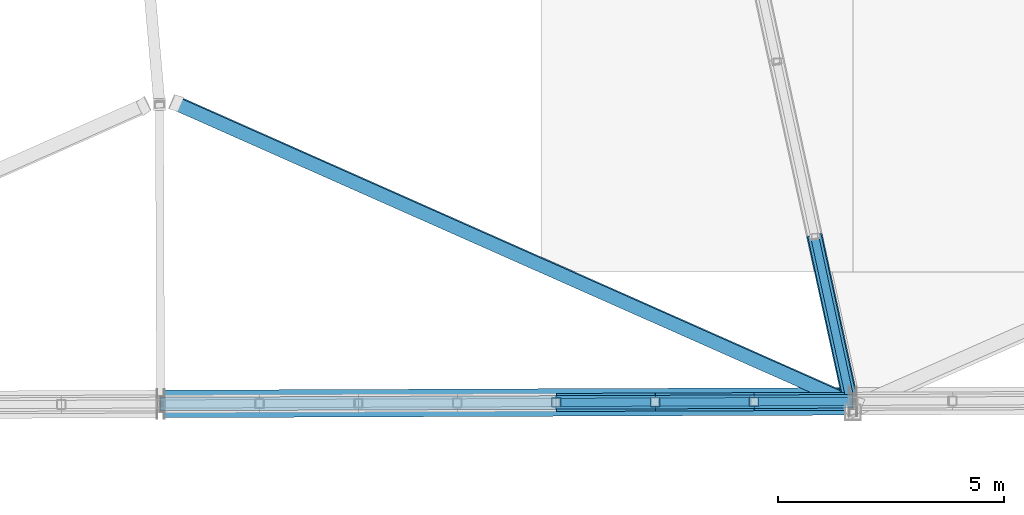
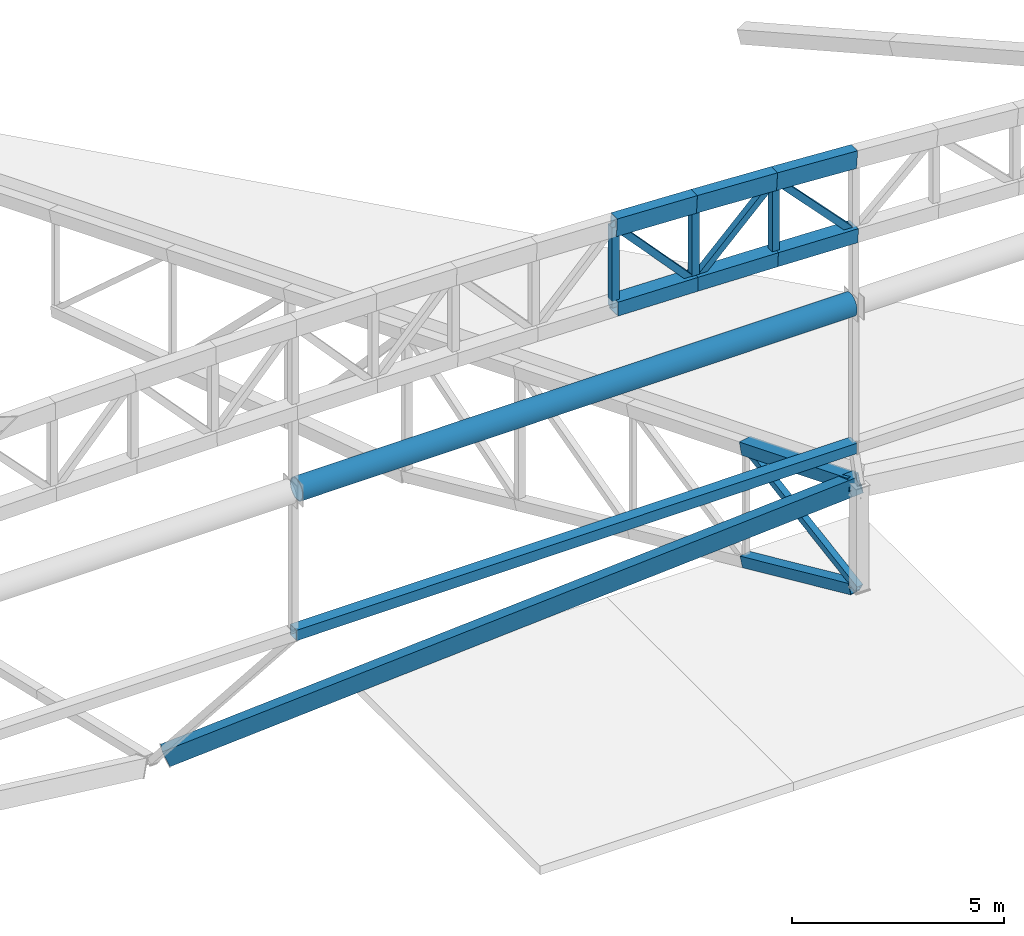
# One storey, part 27 of 188: 17 members, 1 beam.
"""IFC4 building model written with IfcOpenShell, lengths in metres."""

import ifcopenshell
import ifcopenshell.guid

model = None  # the IFC model being written
_history = None  # IfcOwnerHistory: only IFC2X3 demands one
_inside = {}  # id of a spatial element -> (the spatial element, [elements in it])
_under = {}  # id of a project, library or spatial element -> (it, [spatial elements below it])
_declared = {}  # id of a project -> (the project, [libraries it declares])
_typed = {}  # id of a type object -> (the type object, [elements of that type])
_made_of = {}  # id of a material, layer set ... -> (it, [elements and type objects made of it])


def new_model(schema):
    """Start an empty IFC model of exactly this schema.

    Asked for "IFC4X3", IfcOpenShell would pick the latest addendum, in which some entities
    have other attributes; the version numbers below select the first issue.
    IFC2X3 requires an IfcOwnerHistory on every rooted entity: one is made here for all.
    """
    global model, _history
    if schema == "IFC4X3":
        model = ifcopenshell.file(schema_version=(4, 3, 0, 0))
    else:
        model = ifcopenshell.file(schema=schema)
    _inside.clear()
    _under.clear()
    _declared.clear()
    _typed.clear()
    _made_of.clear()
    _history = None
    if model.schema == "IFC2X3":
        org = make("IfcOrganization", Name="unknown")
        user = make(
            "IfcPersonAndOrganization",
            ThePerson=make("IfcPerson", FamilyName="unknown"),
            TheOrganization=org,
        )
        app = make(
            "IfcApplication",
            ApplicationDeveloper=org,
            Version="unknown",
            ApplicationFullName="unknown",
            ApplicationIdentifier="unknown",
        )
        _history = make(
            "IfcOwnerHistory",
            OwningUser=user,
            OwningApplication=app,
            ChangeAction="ADDED",
            CreationDate=0,
        )
    return model


def make(cls, **values):
    """One entity of the class cls with the attributes given. An attribute that is None is left unset."""
    return model.create_entity(
        cls, **{name: value for name, value in values.items() if value is not None}
    )


def rooted(cls, **values):
    """An entity with a GlobalId (a new one), such as an element, a storey or a relation."""
    return make(cls, GlobalId=ifcopenshell.guid.new(), OwnerHistory=_history, **values)


def si_unit(unit_type, name, prefix=None):
    """IfcSIUnit, for example si_unit("LENGTHUNIT", "METRE", prefix="MILLI")."""
    return make("IfcSIUnit", UnitType=unit_type, Prefix=prefix, Name=name)


def assignment(units):
    """IfcUnitAssignment: the units of a project."""
    return None if units is None else make("IfcUnitAssignment", Units=units)


def point(xyz):
    """IfcCartesianPoint."""
    return None if xyz is None else make("IfcCartesianPoint", Coordinates=xyz)


def direction(xyz):
    """IfcDirection."""
    return None if xyz is None else make("IfcDirection", DirectionRatios=xyz)


def frame(location, z_axis=None, x_axis=None):
    """IfcAxis2Placement3D, a coordinate frame: its origin and axes. An axis left out is left unset."""
    return make(
        "IfcAxis2Placement3D",
        Location=point(location),
        Axis=direction(z_axis),
        RefDirection=direction(x_axis),
    )


def frame_2d(location, x_axis=None):
    """IfcAxis2Placement2D, a coordinate frame in the plane: its origin and x axis."""
    return make(
        "IfcAxis2Placement2D", Location=point(location), RefDirection=direction(x_axis)
    )


def origin():
    """The frame at (0, 0, 0) with its axes left unset."""
    return frame((0.0, 0.0, 0.0))


def origin_2d():
    """The frame at (0, 0) in the plane with its x axis left unset."""
    return frame_2d((0.0, 0.0))


def place(relative_to, where):
    """IfcLocalPlacement: puts the frame where relative to a parent placement (None: the world)."""
    return make(
        "IfcLocalPlacement", PlacementRelTo=relative_to, RelativePlacement=where
    )


def context(
    kind, dimensions, precision=None, world=None, true_north=None, identifier=None
):
    """IfcGeometricRepresentationContext, for example the 3D "Model" context."""
    return make(
        "IfcGeometricRepresentationContext",
        ContextIdentifier=identifier,
        ContextType=kind,
        CoordinateSpaceDimension=dimensions,
        Precision=precision,
        WorldCoordinateSystem=world,
        TrueNorth=true_north,
    )


def subcontext(parent, identifier, kind, view, scale=None):
    """IfcGeometricRepresentationSubContext, for example "Body" below "Model"."""
    return make(
        "IfcGeometricRepresentationSubContext",
        ContextIdentifier=identifier,
        ContextType=kind,
        ParentContext=parent,
        TargetScale=scale,
        TargetView=view,
    )


def project(units=None, contexts=None):
    """IfcProject with its units and contexts."""
    return rooted(
        "IfcProject",
        Name="project",
        RepresentationContexts=contexts,
        UnitsInContext=assignment(units),
    )


def spatial(cls, under=None, at=None, **own):
    """A site, building, storey or space (cls), placed at a placement, below another one or the project."""
    s = rooted(cls, ObjectPlacement=at, **own)
    if under is not None:
        _under.setdefault(under.id(), (under, []))[1].append(s)
    return s


def profile(cls, at=None, kind="AREA", **sizes):
    """A parametric profile (cls). Its sizes go by their IFC names, for example OverallWidth=200.0."""
    return make(cls, ProfileType=kind, Position=at, **sizes)


def hollow_rectangle(**sizes):
    """IfcRectangleHollowProfileDef."""
    return profile("IfcRectangleHollowProfileDef", **sizes)


def hollow_circle(**sizes):
    """IfcCircleHollowProfileDef."""
    return profile("IfcCircleHollowProfileDef", **sizes)


def extrude(swept, where, along, depth):
    """IfcExtrudedAreaSolid: the profile swept, set in the frame where, extruded along a direction by depth."""
    return make(
        "IfcExtrudedAreaSolid",
        SweptArea=swept,
        Position=where,
        ExtrudedDirection=direction(along),
        Depth=depth,
    )


def shape(context_of_items, identifier, shape_type, items):
    """IfcShapeRepresentation: the items that make up one representation, for example the "Body"."""
    return make(
        "IfcShapeRepresentation",
        ContextOfItems=context_of_items,
        RepresentationIdentifier=identifier,
        RepresentationType=shape_type,
        Items=items,
    )


def material(Name=None, Category=None):
    """IfcMaterial."""
    return make("IfcMaterial", Name=Name, Category=Category)


def material_profile(
    of_material, cross_section, Name=None, Category=None, Priority=None
):
    """IfcMaterialProfile: a cross section and its material."""
    return make(
        "IfcMaterialProfile",
        Name=Name,
        Material=of_material,
        Profile=cross_section,
        Priority=Priority,
        Category=Category,
    )


def profile_set(profiles, Name=None, composite=None):
    """IfcMaterialProfileSet."""
    return make(
        "IfcMaterialProfileSet",
        Name=Name,
        MaterialProfiles=profiles,
        CompositeProfile=composite,
    )


def made_of(thing, what):
    """Note that an element or type object is made of a material, layer set ...; save() writes the relation."""
    if what is not None:
        _made_of.setdefault(what.id(), (what, []))[1].append(thing)
    return thing


def type_object(cls, material=None, **own):
    """A type object (cls), such as IfcWallType, which elements share."""
    return made_of(rooted(cls, **own), material)


def element(
    cls,
    number,
    at=None,
    inside=None,
    cuts=None,
    type_object=None,
    material=None,
    context=None,
    identifier="Body",
    shape_type=None,
    held_by="IfcProductDefinitionShape",
    body=None,
    shapes=None,
    **own,
):
    """One element of the class cls, such as IfcWall. Its Tag is "e" and its number.

    at: its placement. inside: the storey or other place that contains it. cuts: it is an
    opening in that element (IfcRelVoidsElement). A single representation is given by context,
    identifier, shape_type and body (its items); several are given by shapes. held_by: the class
    of the entity that holds the representations. save() writes the other relations.
    """
    e = rooted(cls, Tag="e%d" % number, ObjectPlacement=at, **own)
    if body is not None:
        shapes = [shape(context, identifier, shape_type, body)]
    if shapes is not None:
        e.Representation = make(held_by, Representations=shapes)
    if inside is not None:
        _inside.setdefault(inside.id(), (inside, []))[1].append(e)
    if cuts is not None:
        rooted(
            "IfcRelVoidsElement", RelatingBuildingElement=cuts, RelatedOpeningElement=e
        )
    if type_object is not None:
        _typed.setdefault(type_object.id(), (type_object, []))[1].append(e)
    return made_of(e, material)


def aggregate(whole, parts):
    """IfcRelAggregates: a whole, such as a stair, and the parts it consists of."""
    return rooted("IfcRelAggregates", RelatingObject=whole, RelatedObjects=parts)


def save(model, path):
    """Write the relations noted so far, then the file.

    IfcRelAggregates (storeys below a building ...), IfcRelContainedInSpatialStructure (elements
    in a storey), IfcRelDefinesByType, IfcRelAssociatesMaterial and IfcRelDeclares: one each for
    every whole, place, type object, material and project.
    """
    for whole, parts in _under.values():
        aggregate(whole, parts)
    for where, things in _inside.values():
        rooted(
            "IfcRelContainedInSpatialStructure",
            RelatedElements=things,
            RelatingStructure=where,
        )
    for kind, things in _typed.values():
        rooted("IfcRelDefinesByType", RelatedObjects=things, RelatingType=kind)
    for what, things in _made_of.values():
        rooted("IfcRelAssociatesMaterial", RelatedObjects=things, RelatingMaterial=what)
    for by, libraries in _declared.values():
        rooted("IfcRelDeclares", RelatingContext=by, RelatedDefinitions=libraries)
    model.write(path)


model = new_model("IFC4")

# Units and contexts
model_context = context("Model", 3, precision=1e-05, world=origin(), true_north=direction((0.0, 1.0)))
body_context = subcontext(model_context, "Body", "Model", "MODEL_VIEW")
ifc_project = project(units=[si_unit("LENGTHUNIT", "METRE"), si_unit("AREAUNIT", "SQUARE_METRE"), si_unit("VOLUMEUNIT", "CUBIC_METRE"), si_unit("PLANEANGLEUNIT", "RADIAN"), si_unit("MASSUNIT", "GRAM", prefix="KILO")], contexts=[model_context])

# Site, building, storey
site_placement = place(None, origin())
site = spatial("IfcSite", under=ifc_project, at=site_placement, CompositionType="ELEMENT")
building_placement = place(site_placement, origin())
building = spatial("IfcBuilding", under=site, at=building_placement, Name="Meseta Stadium", CompositionType="ELEMENT")
storey_placement = place(building_placement, frame((0.0, 0.0, 30.0)))
storey = spatial("IfcBuildingStorey", under=building, at=storey_placement, Name="ROOF", CompositionType="ELEMENT", Elevation=30.0)

# Members
ifc_material_1 = material(Name="Steel S355", Category="steel")
ifc_material_profile_1 = material_profile(ifc_material_1, hollow_circle(Radius=0.304931640625, WallThickness=0.02490234375, at=origin_2d()), Name="CHS 610x25")
ifc_profile_set_1 = profile_set([ifc_material_profile_1], Name="Steel S355")
member_type_1 = type_object("IfcMemberType", Name="CHS 610x25 arch tie", PredefinedType="STRUT", material=ifc_profile_set_1)
member_1_placement = place(storey_placement, frame((7.7822265625, -105.22265625, 15.550048828125), z_axis=(0.999992560596, 0.003857298612, 0.0), x_axis=(-0.003857298612, 0.999992560596, 0.0)))
element("IfcMember", 1, at=member_1_placement, inside=storey, type_object=member_type_1, Name="GABLE ARCH GA-S tie 04", PredefinedType="STRUT", context=body_context, shape_type="SweptSolid", body=[
    extrude(hollow_circle(Radius=0.304931640625, WallThickness=0.02490234375, at=origin_2d()), origin(), (0.0, 0.0, 1.0), 15.126953125),
])
ifc_material_2 = material(Name="Steel S355", Category="steel")
ifc_material_profile_2 = material_profile(ifc_material_2, hollow_rectangle(XDim=0.300048828125, YDim=0.5, WallThickness=0.01611328125, at=origin_2d()), Name="RHS 500x300x16")
ifc_profile_set_2 = profile_set([ifc_material_profile_2], Name="Steel S355")
member_type_2 = type_object("IfcMemberType", Name="RHS 500x300x16 arch top chord", PredefinedType="CHORD", material=ifc_profile_set_2)
member_2_placement = place(storey_placement, frame((16.43896484375, -105.189208984375, 20.112060546875), z_axis=(0.999026748655, 0.003792219432, -0.043945131067), x_axis=(-0.003795886463, 0.999992795597, 0.0)))
element("IfcMember", 2, at=member_2_placement, inside=storey, type_object=member_type_2, Name="GABLE ARCH GA-S top chord", PredefinedType="CHORD", context=body_context, shape_type="SweptSolid", body=[
    extrude(hollow_rectangle(XDim=0.300048828125, YDim=0.5, WallThickness=0.01611328125, at=origin_2d()), origin(), (0.0, 0.0, 1.0), 2.18896484375),
])
member_3_placement = place(storey_placement, frame((18.625732421875, -105.180908203125, 20.015869140625), z_axis=(0.99859509472, 0.003902068585, -0.052845157407), x_axis=(-0.003907528502, 0.999992365581, 0.0)))
element("IfcMember", 3, at=member_3_placement, inside=storey, type_object=member_type_2, Name="GABLE ARCH GA-S top chord", PredefinedType="CHORD", context=body_context, shape_type="SweptSolid", body=[
    extrude(hollow_rectangle(XDim=0.300048828125, YDim=0.5, WallThickness=0.01611328125, at=origin_2d()), origin(), (0.0, 0.0, 1.0), 2.18994140625),
])
member_4_placement = place(storey_placement, frame((20.8125, -105.17236328125, 19.900146484375), z_axis=(0.998091965005, 0.003789094106, -0.061628501189), x_axis=(-0.003796310294, 0.999992793988, 0.0)))
element("IfcMember", 4, at=member_4_placement, inside=storey, type_object=member_type_2, Name="GABLE ARCH GA-S top chord", PredefinedType="CHORD", context=body_context, shape_type="SweptSolid", body=[
    extrude(hollow_rectangle(XDim=0.300048828125, YDim=0.5, WallThickness=0.01611328125, at=origin_2d()), origin(), (0.0, 0.0, 1.0), 2.190673828125),
])

# Beam
ifc_material_3 = material(Name="Steel S355", Category="steel")
ifc_material_profile_3 = material_profile(ifc_material_3, hollow_rectangle(XDim=0.300048828125, YDim=0.5, WallThickness=0.01611328125, at=origin_2d()), Name="RHS 500x300x16")
ifc_profile_set_3 = profile_set([ifc_material_profile_3], Name="Steel S355")
beam_type = type_object("IfcBeamType", Name="RHS 500x300x16 rim ring beam", PredefinedType="BEAM", material=ifc_profile_set_3)
beam_placement = place(storey_placement, frame((8.043701171875, -98.5712890625, 3.7509765625), z_axis=(0.847168236299, -0.375703326713, 0.375703326713), x_axis=(0.386529475201, 0.920954463622, 0.049374494799)))
element("IfcBeam", 5, at=beam_placement, inside=storey, type_object=beam_type, Name="RIM RING BEAM 48", PredefinedType="BEAM", context=body_context, shape_type="SweptSolid", body=[
    extrude(hollow_rectangle(XDim=0.300048828125, YDim=0.5, WallThickness=0.01611328125, at=origin_2d()), origin(), (0.0, 0.0, 1.0), 17.75439453125),
])

# Members
ifc_material_4 = material(Name="Steel S355", Category="steel")
ifc_material_profile_4 = material_profile(ifc_material_4, hollow_rectangle(XDim=0.179931640625, YDim=0.179931640625, WallThickness=0.00634765625, at=origin_2d()), Name="SHS 180x180x6.3")
ifc_profile_set_4 = profile_set([ifc_material_profile_4], Name="Steel S355")
member_type_3 = type_object("IfcMemberType", Name="SHS 180x180x6.3 arch diagonal", PredefinedType="BRACE", material=ifc_profile_set_4)
member_5_placement = place(storey_placement, frame((16.43896484375, -105.189208984375, 20.112060546875), z_axis=(0.678595599969, 0.00257589041, -0.734507574155), x_axis=(-0.003795886463, 0.999992795597, 0.0)))
element("IfcMember", 6, at=member_5_placement, inside=storey, type_object=member_type_3, Name="GABLE ARCH GA-S diagonal", PredefinedType="BRACE", context=body_context, shape_type="SweptSolid", body=[
    extrude(hollow_rectangle(XDim=0.179931640625, YDim=0.179931640625, WallThickness=0.00634765625, at=origin_2d()), origin(), (0.0, 0.0, 1.0), 3.222412109375),
])
member_6_placement = place(storey_placement, frame((18.625732421875, -105.180908203125, 17.7451171875), z_axis=(0.71225390226, 0.002783173672, 0.70191640005), x_axis=(-0.003907528502, 0.999992365581, 0.0)))
element("IfcMember", 7, at=member_6_placement, inside=storey, type_object=member_type_3, Name="GABLE ARCH GA-S diagonal", PredefinedType="BRACE", context=body_context, shape_type="SweptSolid", body=[
    extrude(hollow_rectangle(XDim=0.179931640625, YDim=0.179931640625, WallThickness=0.00634765625, at=origin_2d()), origin(), (0.0, 0.0, 1.0), 3.0703125),
])
member_7_placement = place(storey_placement, frame((20.8125, -105.17236328125, 19.900146484375), z_axis=(0.689875894273, 0.002619001832, -0.723922918086), x_axis=(-0.003796310294, 0.999992793988, 0.0)))
element("IfcMember", 8, at=member_7_placement, inside=storey, type_object=member_type_3, Name="GABLE ARCH GA-S diagonal", PredefinedType="BRACE", context=body_context, shape_type="SweptSolid", body=[
    extrude(hollow_rectangle(XDim=0.179931640625, YDim=0.179931640625, WallThickness=0.00634765625, at=origin_2d()), origin(), (0.0, 0.0, 1.0), 3.16943359375),
])
ifc_material_5 = material(Name="Steel S355", Category="steel")
ifc_material_profile_5 = material_profile(ifc_material_5, hollow_rectangle(XDim=0.179931640625, YDim=0.179931640625, WallThickness=0.00634765625, at=origin_2d()), Name="SHS 180x180x6.3")
ifc_profile_set_5 = profile_set([ifc_material_profile_5], Name="Steel S355")
member_type_4 = type_object("IfcMemberType", Name="SHS 180x180x6.3 diagonal", PredefinedType="BRACE", material=ifc_profile_set_5)
member_8_placement = place(storey_placement, frame((22.156982421875, -101.52587890625, 9.523193359375), z_axis=(0.189041751441, -0.868727052379, -0.457795286866), x_axis=(0.977132437588, 0.212631604928, 0.0)))
element("IfcMember", 9, at=member_8_placement, inside=storey, type_object=member_type_4, Name="ROOF TRUSS RT-48 diagonal", PredefinedType="BRACE", context=body_context, shape_type="SweptSolid", body=[
    extrude(hollow_rectangle(XDim=0.179931640625, YDim=0.179931640625, WallThickness=0.00634765625, at=origin_2d()), origin(), (0.0, 0.0, 1.0), 4.45947265625),
])
ifc_material_6 = material(Name="Steel S355", Category="steel")
ifc_material_profile_6 = material_profile(ifc_material_6, hollow_rectangle(XDim=0.199951171875, YDim=0.199951171875, WallThickness=0.008056640625, at=origin_2d()), Name="SHS 200x200x8")
ifc_profile_set_6 = profile_set([ifc_material_profile_6], Name="Steel S355")
member_type_5 = type_object("IfcMemberType", Name="SHS 200x200x8 arch vertical", PredefinedType="POST", material=ifc_profile_set_6)
member_9_placement = place(storey_placement, frame((16.43896484375, -105.189208984375, 17.7978515625), z_axis=(0.0, 0.0, 1.0), x_axis=(1.0, 0.0, 0.0)))
element("IfcMember", 10, at=member_9_placement, inside=storey, type_object=member_type_5, Name="GABLE ARCH GA-S vertical", PredefinedType="POST", context=body_context, shape_type="SweptSolid", body=[
    extrude(hollow_rectangle(XDim=0.199951171875, YDim=0.199951171875, WallThickness=0.008056640625, at=origin_2d()), origin(), (0.0, 0.0, 1.0), 2.314208984375),
])
member_10_placement = place(storey_placement, frame((18.625732421875, -105.180908203125, 17.7451171875), z_axis=(0.0, 0.0, 1.0), x_axis=(1.0, 0.0, 0.0)))
element("IfcMember", 11, at=member_10_placement, inside=storey, type_object=member_type_5, Name="GABLE ARCH GA-S vertical", PredefinedType="POST", context=body_context, shape_type="SweptSolid", body=[
    extrude(hollow_rectangle(XDim=0.199951171875, YDim=0.199951171875, WallThickness=0.008056640625, at=origin_2d()), origin(), (0.0, 0.0, 1.0), 2.270751953125),
])
member_11_placement = place(storey_placement, frame((20.8125, -105.17236328125, 17.68115234375), z_axis=(0.0, 0.0, 1.0), x_axis=(1.0, 0.0, 0.0)))
element("IfcMember", 12, at=member_11_placement, inside=storey, type_object=member_type_5, Name="GABLE ARCH GA-S vertical", PredefinedType="POST", context=body_context, shape_type="SweptSolid", body=[
    extrude(hollow_rectangle(XDim=0.199951171875, YDim=0.199951171875, WallThickness=0.008056640625, at=origin_2d()), origin(), (0.0, 0.0, 1.0), 2.218994140625),
])
ifc_material_7 = material(Name="Steel S355", Category="steel")
ifc_material_profile_7 = material_profile(ifc_material_7, hollow_rectangle(XDim=0.300048828125, YDim=0.300048828125, WallThickness=0.010009765625, at=origin_2d()), Name="SHS 300x300x10")
ifc_profile_set_7 = profile_set([ifc_material_profile_7], Name="Steel S355")
member_type_6 = type_object("IfcMemberType", Name="SHS 300x300x10 arch sill", PredefinedType="STRUT", material=ifc_profile_set_7)
member_12_placement = place(storey_placement, frame((7.692138671875, -105.222900390625, 11.449951171875), z_axis=(0.999992612359, 0.00384385568, 0.0), x_axis=(-0.00384385568, 0.999992612359, 0.0)))
element("IfcMember", 13, at=member_12_placement, inside=storey, type_object=member_type_6, Name="GABLE ARCH GA-S sill beam 04", PredefinedType="STRUT", context=body_context, shape_type="SweptSolid", body=[
    extrude(hollow_rectangle(XDim=0.300048828125, YDim=0.300048828125, WallThickness=0.010009765625, at=origin_2d()), origin(), (0.0, 0.0, 1.0), 15.306884765625),
])
ifc_material_8 = material(Name="Steel S355", Category="steel")
ifc_material_profile_8 = material_profile(ifc_material_8, hollow_rectangle(XDim=0.300048828125, YDim=0.300048828125, WallThickness=0.010009765625, at=origin_2d()), Name="SHS 300x300x10")
ifc_profile_set_8 = profile_set([ifc_material_profile_8], Name="Steel S355")
member_type_7 = type_object("IfcMemberType", Name="SHS 300x300x10 bottom chord", PredefinedType="CHORD", material=ifc_profile_set_8)
member_13_placement = place(storey_placement, frame((22.156982421875, -101.52587890625, 6.246826171875), z_axis=(0.202975026105, -0.932936315937, 0.297373450705), x_axis=(0.977140958475, 0.212592444058, 0.0)))
element("IfcMember", 14, at=member_13_placement, inside=storey, type_object=member_type_7, Name="ROOF TRUSS RT-48 bottom chord", PredefinedType="CHORD", context=body_context, shape_type="SweptSolid", body=[
    extrude(hollow_rectangle(XDim=0.300048828125, YDim=0.300048828125, WallThickness=0.010009765625, at=origin_2d()), origin(), (0.0, 0.0, 1.0), 3.977783203125),
])
ifc_material_9 = material(Name="Steel S355", Category="steel")
ifc_material_profile_9 = material_profile(ifc_material_9, hollow_rectangle(XDim=0.35009765625, YDim=0.35009765625, WallThickness=0.010009765625, at=origin_2d()), Name="SHS 350x350x10")
ifc_profile_set_9 = profile_set([ifc_material_profile_9], Name="Steel S355")
member_type_8 = type_object("IfcMemberType", Name="SHS 350x350x10 top chord", PredefinedType="CHORD", material=ifc_profile_set_9)
member_14_placement = place(storey_placement, frame((22.156982421875, -101.52587890625, 9.523193359375), z_axis=(0.206678216489, -0.949781770661, 0.234944042163), x_axis=(0.977132794759, 0.212629963568, 0.0)))
element("IfcMember", 15, at=member_14_placement, inside=storey, type_object=member_type_8, Name="ROOF TRUSS RT-48 top chord", PredefinedType="CHORD", context=body_context, shape_type="SweptSolid", body=[
    extrude(hollow_rectangle(XDim=0.35009765625, YDim=0.35009765625, WallThickness=0.010009765625, at=origin_2d()), origin(), (0.0, 0.0, 1.0), 3.904052734375),
])
ifc_material_10 = material(Name="Steel S355", Category="steel")
ifc_material_profile_10 = material_profile(ifc_material_10, hollow_rectangle(XDim=0.39990234375, YDim=0.39990234375, WallThickness=0.01416015625, at=origin_2d()), Name="SHS 400x400x14.2")
ifc_profile_set_10 = profile_set([ifc_material_profile_10], Name="Steel S355")
member_type_9 = type_object("IfcMemberType", Name="SHS 400x400x14.2 arch bottom chord", PredefinedType="CHORD", material=ifc_profile_set_10)
member_15_placement = place(storey_placement, frame((16.43896484375, -105.189208984375, 17.7978515625), z_axis=(0.999702156789, 0.003794783223, -0.024108034595), x_axis=(-0.003795886463, 0.999992795597, 0.0)))
element("IfcMember", 16, at=member_15_placement, inside=storey, type_object=member_type_9, Name="GABLE ARCH GA-S bottom chord", PredefinedType="CHORD", context=body_context, shape_type="SweptSolid", body=[
    extrude(hollow_rectangle(XDim=0.39990234375, YDim=0.39990234375, WallThickness=0.01416015625, at=origin_2d()), origin(), (0.0, 0.0, 1.0), 2.1875),
])
for number, where, z_axis, x_axis, name in (
    (17, (18.625732421875, -105.180908203125, 17.7451171875), (0.999564843142, 0.003905857933, -0.02923813653), (-0.003907528502, 0.999992365581, 0.0), "GABLE ARCH GA-S bottom chord"),
    (18, (20.8125, -105.17236328125, 17.68115234375), (0.999398143353, 0.0037940528, -0.034481244562), (-0.003796310294, 0.999992793988, 0.0), "GABLE ARCH GA-S bottom chord"),
):
    element("IfcMember", number, at=place(storey_placement, frame(where, z_axis=z_axis, x_axis=x_axis)), inside=storey, type_object=member_type_9, Name=name, PredefinedType="CHORD", context=body_context, shape_type="SweptSolid", body=[
        extrude(hollow_rectangle(XDim=0.39990234375, YDim=0.39990234375, WallThickness=0.01416015625, at=origin_2d()), origin(), (0.0, 0.0, 1.0), 2.187744140625),
    ])

save(model, "model.ifc")
